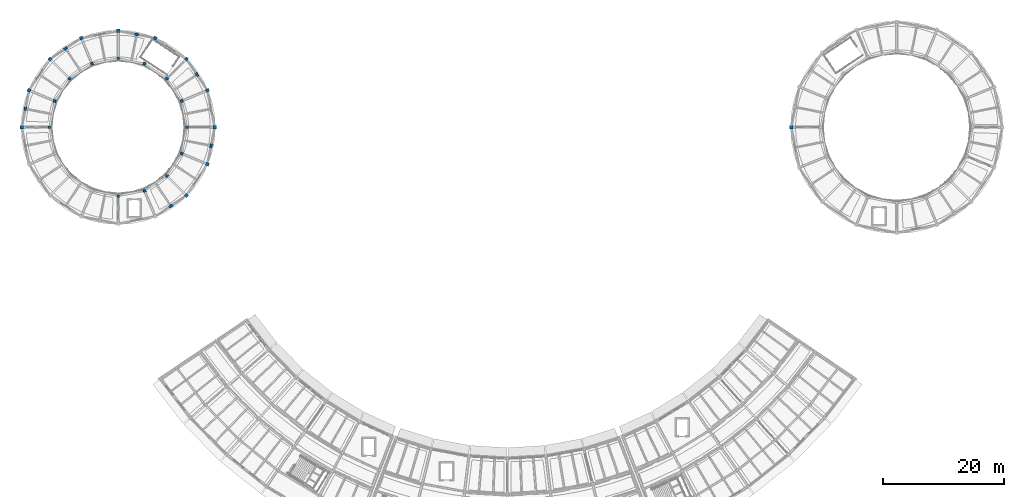
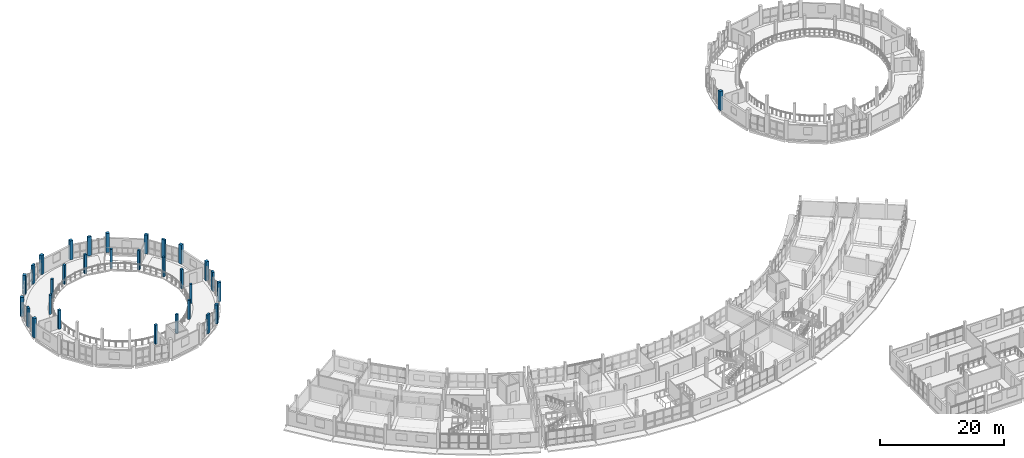
# One storey, part 13 of 77: 31 columns.
"""IFC4 building model written with IfcOpenShell, lengths in metres."""

from ifc_helpers import new_model, si_unit, direction, frame, origin, origin_2d, place, context, subcontext, project, spatial, rectangle, extrude, material, material_profile, profile_set, type_object, element, save


model = new_model("IFC4")

# Units and contexts
model_context = context("Model", 3, precision=1e-05, world=origin(), true_north=direction((0.0, 1.0)))
body_context = subcontext(model_context, "Body", "Model", "MODEL_VIEW")
ifc_project = project(units=[si_unit("LENGTHUNIT", "METRE"), si_unit("AREAUNIT", "SQUARE_METRE"), si_unit("VOLUMEUNIT", "CUBIC_METRE"), si_unit("PLANEANGLEUNIT", "RADIAN"), si_unit("MASSUNIT", "GRAM", prefix="KILO")], contexts=[model_context])

# Site, building, storey
site_placement = place(None, origin())
site = spatial("IfcSite", under=ifc_project, at=site_placement, CompositionType="ELEMENT")
building_placement = place(site_placement, origin())
building = spatial("IfcBuilding", under=site, at=building_placement, Name="Caldaven Crescent School", CompositionType="ELEMENT")
storey_placement = place(building_placement, frame((0.0, 0.0, 4.419921875)))
storey = spatial("IfcBuildingStorey", under=building, at=storey_placement, Name="L01", CompositionType="ELEMENT", Elevation=4.419921875)

# Columns
ifc_material_1 = material(Name="Glulam MLE24h (GL28h)", Category="wood")
ifc_material_profile_1 = material_profile(ifc_material_1, rectangle(XDim=0.419921875, YDim=0.419921875, at=origin_2d()), Name="MLE 420x420")
ifc_profile_set_1 = profile_set([ifc_material_profile_1], Name="Glulam MLE24h (GL28h)")
column_type_1 = type_object("IfcColumnType", Name="COL-GL42", PredefinedType="COLUMN", material=ifc_profile_set_1)
for number, where, z_axis, x_axis, name in (
    (1, (34.89990234375, 98.5, 0.0), (0.0, 0.0, 1.0), (1.0, 0.0, 0.0), "COL-V2-L01-GAL-00"),
    (2, (34.0322265625, 102.862548828125, 0.0), (0.0, 0.0, 1.0), (0.923879532511, 0.382683432365, 0.0), "COL-V2-L01-GAL-01"),
    (3, (31.56103515625, 106.56103515625, 0.0), (0.0, 0.0, 1.0), (0.707106781187, 0.707106781187, 0.0), "COL-V2-L01-GAL-02"),
    (4, (27.862548828125, 109.0322265625, 0.0), (0.0, 0.0, 1.0), (0.382683432365, 0.923879532511, 0.0), "COL-V2-L01-GAL-03"),
    (5, (23.5, 109.89990234375, 0.0), (0.0, 0.0, 1.0), (0.0, 1.0, 0.0), "COL-V2-L01-GAL-04"),
    (6, (19.137451171875, 109.0322265625, 0.0), (0.0, 0.0, 1.0), (-0.382683432365, 0.923879532511, 0.0), "COL-V2-L01-GAL-05"),
    (7, (15.43896484375, 106.56103515625, 0.0), (0.0, 0.0, 1.0), (-0.707106781187, 0.707106781187, 0.0), "COL-V2-L01-GAL-06"),
    (8, (12.9677734375, 102.862548828125, 0.0), (0.0, 0.0, 1.0), (-0.923879532511, 0.382683432365, 0.0), "COL-V2-L01-GAL-07"),
    (9, (12.10009765625, 98.5, 0.0), (0.0, 0.0, 1.0), (-1.0, 0.0, 0.0), "COL-V2-L01-GAL-08"),
    (10, (23.5, 87.10009765625, 0.0), (0.0, 0.0, 1.0), (0.0, -1.0, 0.0), "COL-V2-L01-GAL-12"),
    (11, (27.862548828125, 87.9677734375, 0.0), (0.0, 0.0, 1.0), (0.382683432365, -0.923879532511, 0.0), "COL-V2-L01-GAL-13"),
    (12, (31.56103515625, 90.43896484375, 0.0), (0.0, 0.0, 1.0), (0.707106781187, -0.707106781187, 0.0), "COL-V2-L01-GAL-14"),
    (13, (34.0322265625, 94.137451171875, 0.0), (0.0, 0.0, 1.0), (0.923879532511, -0.382683432365, 0.0), "COL-V2-L01-GAL-15"),
):
    element("IfcColumn", number, at=place(storey_placement, frame(where, z_axis=z_axis, x_axis=x_axis)), inside=storey, type_object=column_type_1, Name=name, PredefinedType="COLUMN", context=body_context, shape_type="SweptSolid", body=[
        extrude(rectangle(XDim=0.419921875, YDim=0.419921875, at=origin_2d()), origin(), (0.0, 0.0, 1.0), 3.739990234375),
    ])
ifc_material_2 = material(Name="Concrete C35/45", Category="concrete")
ifc_material_profile_2 = material_profile(ifc_material_2, rectangle(XDim=0.550048828125, YDim=0.550048828125, at=origin_2d()), Name="RC 550x550")
ifc_profile_set_2 = profile_set([ifc_material_profile_2], Name="Concrete C35/45")
column_type_2 = type_object("IfcColumnType", Name="COL-RC55", PredefinedType="COLUMN", material=ifc_profile_set_2)
for number, where, z_axis, x_axis, name in (
    (14, (135.0, 98.5, 0.0), (0.0, 0.0, 1.0), (-1.0, 0.0, 0.0), "COL-V1-L01-OUT-08"),
    (15, (39.5, 98.5, 0.0), (0.0, 0.0, 1.0), (1.0, 0.0, 0.0), "COL-V2-L01-OUT-00"),
    (16, (38.281982421875, 104.623046875, 0.0), (0.0, 0.0, 1.0), (0.923879532511, 0.382683432365, 0.0), "COL-V2-L01-OUT-01"),
    (17, (34.813720703125, 109.813720703125, 0.0), (0.0, 0.0, 1.0), (0.707106781187, 0.707106781187, 0.0), "COL-V2-L01-OUT-02"),
    (18, (29.623046875, 113.281982421875, 0.0), (0.0, 0.0, 1.0), (0.382683432365, 0.923879532511, 0.0), "COL-V2-L01-OUT-03"),
    (19, (23.5, 114.5, 0.0), (0.0, 0.0, 1.0), (0.0, 1.0, 0.0), "COL-V2-L01-OUT-04"),
    (20, (17.376953125, 113.281982421875, 0.0), (0.0, 0.0, 1.0), (-0.382683432365, 0.923879532511, 0.0), "COL-V2-L01-OUT-05"),
    (21, (12.186279296875, 109.813720703125, 0.0), (0.0, 0.0, 1.0), (-0.707106781187, 0.707106781187, 0.0), "COL-V2-L01-OUT-06"),
    (22, (8.718017578125, 104.623046875, 0.0), (0.0, 0.0, 1.0), (-0.923879532511, 0.382683432365, 0.0), "COL-V2-L01-OUT-07"),
    (23, (7.5, 98.5, 0.0), (0.0, 0.0, 1.0), (-1.0, 0.0, 0.0), "COL-V2-L01-OUT-08"),
    (24, (34.813720703125, 87.186279296875, 0.0), (0.0, 0.0, 1.0), (0.707106781187, -0.707106781187, 0.0), "COL-V2-L01-OUT-14"),
    (25, (38.281982421875, 92.376953125, 0.0), (0.0, 0.0, 1.0), (0.923879532511, -0.382683432365, 0.0), "COL-V2-L01-OUT-15"),
):
    element("IfcColumn", number, at=place(storey_placement, frame(where, z_axis=z_axis, x_axis=x_axis)), inside=storey, type_object=column_type_2, Name=name, PredefinedType="COLUMN", context=body_context, shape_type="SweptSolid", body=[
        extrude(rectangle(XDim=0.550048828125, YDim=0.550048828125, at=origin_2d()), origin(), (0.0, 0.0, 1.0), 3.739990234375),
    ])
ifc_material_3 = material(Name="Concrete C30/37", Category="concrete")
ifc_material_profile_3 = material_profile(ifc_material_3, rectangle(XDim=0.35009765625, YDim=0.64990234375, at=origin_2d()), Name="RC 350x650")
ifc_profile_set_3 = profile_set([ifc_material_profile_3], Name="Concrete C30/37")
column_type_3 = type_object("IfcColumnType", Name="PIL-RC35", PredefinedType="PILASTER", material=ifc_profile_set_3)
for number, where, z_axis, x_axis, name in (
    (26, (36.5478515625, 107.21826171875, 0.0), (0.0, 0.0, 1.0), (0.831469612303, 0.55557023302, 0.0), "PIL-V2-L01-00"),
    (27, (26.5615234375, 113.89111328125, 0.0), (0.0, 0.0, 1.0), (0.195090322016, 0.980785280403, 0.0), "PIL-V2-L01-01"),
    (28, (14.78173828125, 111.5478515625, 0.0), (0.0, 0.0, 1.0), (-0.55557023302, 0.831469612303, 0.0), "PIL-V2-L01-02"),
    (29, (8.10888671875, 101.5615234375, 0.0), (0.0, 0.0, 1.0), (-0.980785280403, 0.195090322016, 0.0), "PIL-V2-L01-03"),
    (30, (32.21826171875, 85.4521484375, 0.0), (0.0, 0.0, 1.0), (0.55557023302, -0.831469612303, 0.0), "PIL-V2-L01-06"),
    (31, (38.89111328125, 95.4384765625, 0.0), (0.0, 0.0, 1.0), (0.980785280403, -0.195090322016, 0.0), "PIL-V2-L01-07"),
):
    element("IfcColumn", number, at=place(storey_placement, frame(where, z_axis=z_axis, x_axis=x_axis)), inside=storey, type_object=column_type_3, Name=name, PredefinedType="PILASTER", context=body_context, shape_type="SweptSolid", body=[
        extrude(rectangle(XDim=0.35009765625, YDim=0.64990234375, at=origin_2d()), origin(), (0.0, 0.0, 1.0), 3.739990234375),
    ])

save(model, "model.ifc")
